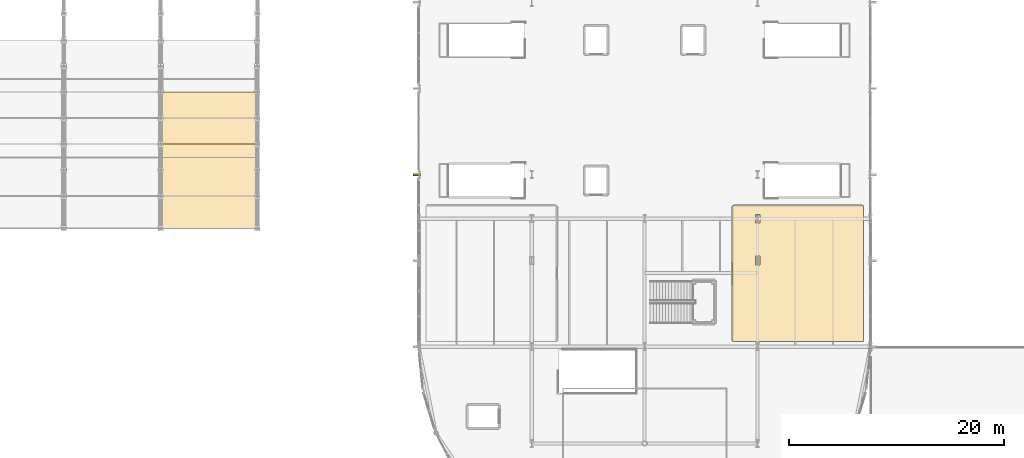
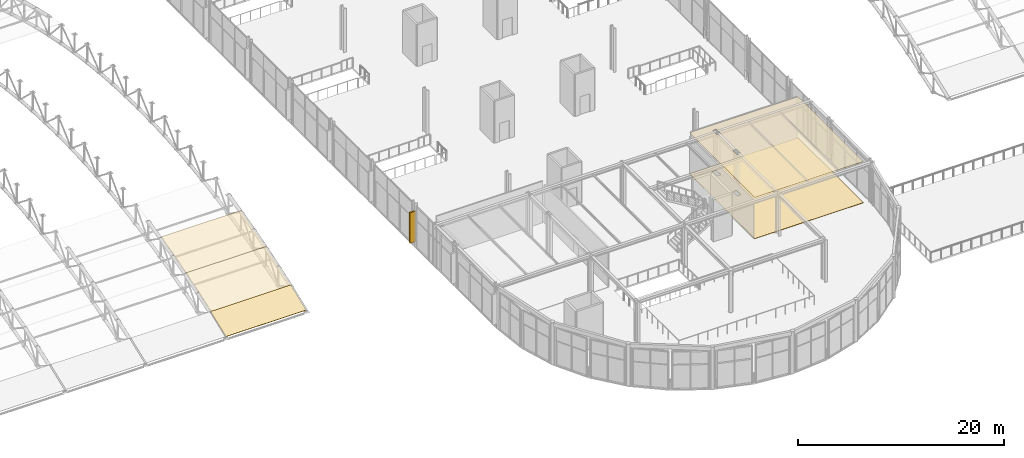
# One storey, part 173 of 195: 5 coverings, 1 shading device.
"""IFC4 building model written with IfcOpenShell, lengths in metres."""

from ifc_helpers import new_model, si_unit, direction, frame, origin, origin_2d, place, context, subcontext, project, spatial, polyline, rectangle, outline, extrude, material, layer, layer_set, type_object, element, save


model = new_model("IFC4")

# Units and contexts
model_context = context("Model", 3, precision=1e-05, world=origin(), true_north=direction((0.0, 1.0)))
body_context = subcontext(model_context, "Body", "Model", "MODEL_VIEW")
ifc_project = project(units=[si_unit("LENGTHUNIT", "METRE"), si_unit("AREAUNIT", "SQUARE_METRE"), si_unit("VOLUMEUNIT", "CUBIC_METRE"), si_unit("PLANEANGLEUNIT", "RADIAN"), si_unit("MASSUNIT", "GRAM", prefix="KILO")], contexts=[model_context])

# Site, building, storey
site_placement = place(None, origin())
site = spatial("IfcSite", under=ifc_project, at=site_placement, CompositionType="ELEMENT")
building_placement = place(site_placement, origin())
building = spatial("IfcBuilding", under=site, at=building_placement, Name="Marlcrest Central Station", CompositionType="ELEMENT")
storey_placement = place(building_placement, frame((0.0, 0.0, 9.800048828125)))
storey = spatial("IfcBuildingStorey", under=building, at=storey_placement, Name="L02", CompositionType="ELEMENT", Elevation=9.800048828125)

# Coverings
ifc_material_1 = material(Name="Perforated acoustic mineral-fibre ceiling")
ifc_layer_1 = layer(ifc_material_1, 0.02490234375, Name="CV-CLG")
ifc_layer_set_1 = layer_set([ifc_layer_1], Name="Perforated acoustic mineral-fibre ceiling")
covering_type_1 = type_object("IfcCoveringType", Name="CV-CLG", PredefinedType="CEILING", material=ifc_layer_set_1)
covering_1_placement = place(storey_placement, frame((0.0, 0.0, 4.875)))
element("IfcCovering", 1, at=covering_1_placement, inside=storey, type_object=covering_type_1, Name="cov-clg-0093", PredefinedType="CEILING", context=body_context, shape_type="SweptSolid", body=[
    extrude(outline(polyline([(116.159912109375, 35.639892578125), (128.340087890625, 35.639892578125), (128.340087890625, 22.9599609375), (116.159912109375, 22.9599609375), (116.159912109375, 35.639892578125)]), holes=[polyline([(118.2900390625, 30.909912109375), (118.2900390625, 30.090087890625), (118.7099609375, 30.090087890625), (118.7099609375, 30.909912109375), (118.2900390625, 30.909912109375)]), polyline([(118.7099609375, 34.81005859375), (118.2900390625, 34.81005859375), (118.2900390625, 33.989990234375), (118.7099609375, 33.989990234375), (118.7099609375, 34.81005859375)])]), origin(), (0.0, 0.0, 1.0), 0.02490234375),
])
ifc_material_2 = material(Name="Polished terrazzo and tactile transit flooring")
ifc_layer_2 = layer(ifc_material_2, 0.030029296875, Name="CV-FLR")
ifc_layer_set_2 = layer_set([ifc_layer_2], Name="Polished terrazzo and tactile transit flooring")
covering_type_2 = type_object("IfcCoveringType", Name="CV-FLR", PredefinedType="FLOORING", material=ifc_layer_set_2)
covering_2_placement = place(storey_placement, origin())
element("IfcCovering", 2, at=covering_2_placement, inside=storey, type_object=covering_type_2, Name="cov-flr-0094", PredefinedType="FLOORING", context=body_context, shape_type="SweptSolid", body=[
    extrude(outline(polyline([(116.159912109375, 35.639892578125), (128.340087890625, 35.639892578125), (128.340087890625, 22.9599609375), (116.159912109375, 22.9599609375), (116.159912109375, 35.639892578125)]), holes=[polyline([(118.2900390625, 30.909912109375), (118.2900390625, 30.090087890625), (118.7099609375, 30.090087890625), (118.7099609375, 30.909912109375), (118.2900390625, 30.909912109375)]), polyline([(118.7099609375, 34.81005859375), (118.2900390625, 34.81005859375), (118.2900390625, 33.989990234375), (118.7099609375, 33.989990234375), (118.7099609375, 34.81005859375)])]), origin(), (0.0, 0.0, 1.0), 0.030029296875),
])
ifc_material_3 = material(Name="Standing-seam marine-coated aluminium roofing", Category="aluminium")
ifc_layer_3 = layer(ifc_material_3, 0.06494140625, Name="CV-RF2")
ifc_layer_set_3 = layer_set([ifc_layer_3], Name="Standing-seam marine-coated aluminium roofing")
covering_type_3 = type_object("IfcCoveringType", Name="CV-RF2", PredefinedType="ROOFING", material=ifc_layer_set_3)
covering_3_placement = place(storey_placement, frame((63.0, 33.5, 0.645751953125), z_axis=(0.0, -0.359101225901, 0.933298617569), x_axis=(1.0, 0.0, 0.0)))
element("IfcCovering", 3, at=covering_3_placement, inside=storey, type_object=covering_type_3, Name="cov-shed-0103", PredefinedType="ROOFING", context=body_context, shape_type="SweptSolid", body=[
    extrude(outline(polyline([(0.0, 0.0), (9.0, 0.0), (9.0, 3.2144052755735024), (0.0, 3.2144052755735024), (0.0, 0.0)])), origin(), (0.0, 0.0, -1.0), 0.06494140625),
])
covering_4_placement = place(storey_placement, frame((63.0, 36.5, 1.800048828125), z_axis=(0.0, -0.318569719273, 0.94789943241), x_axis=(1.0, 0.0, 0.0)))
element("IfcCovering", 4, at=covering_4_placement, inside=storey, type_object=covering_type_3, Name="cov-shed-0104", PredefinedType="ROOFING", context=body_context, shape_type="SweptSolid", body=[
    extrude(outline(polyline([(0.0, 0.0), (9.0, 0.0), (9.0, 5.095559676327259), (0.0, 5.095559676327259), (0.0, 0.0)])), origin(), (0.0, 0.0, -1.0), 0.06494140625),
])
covering_5_placement = place(storey_placement, frame((63.0, 41.330078125, 3.42333984375), z_axis=(0.0, -0.266214119485, 0.96391391866), x_axis=(1.0, 0.0, 0.0)))
element("IfcCovering", 5, at=covering_5_placement, inside=storey, type_object=covering_type_3, Name="cov-shed-0105", PredefinedType="ROOFING", context=body_context, shape_type="SweptSolid", body=[
    extrude(outline(polyline([(0.0, 0.0), (9.0, 0.0), (9.0, 5.021033161059522), (0.0, 5.021033161059522), (0.0, 0.0)])), origin(), (0.0, 0.0, -1.0), 0.06494140625),
])

# Shading device
ifc_material_4 = material(Name="Precast concrete C40/50", Category="concrete")
shading_device_type = type_object("IfcShadingDeviceType", Name="SD-BS1", PredefinedType="USERDEFINED", material=ifc_material_4)
shading_device_placement = place(storey_placement, frame((86.800048828125, 38.5, 0.5), z_axis=(0.0, 0.0, 1.0), x_axis=(0.0, 1.0, 0.0)))
element("IfcShadingDevice", 6, at=shading_device_placement, inside=storey, type_object=shading_device_type, Name="shd-L02-0005", ObjectType="BRISE_SOLEIL", PredefinedType="USERDEFINED", context=body_context, shape_type="SweptSolid", body=[
    extrude(rectangle(XDim=0.179931640625, YDim=0.64990234375, at=origin_2d()), origin(), (0.0, 0.0, 1.0), 3.60009765625),
])

save(model, "model.ifc")
